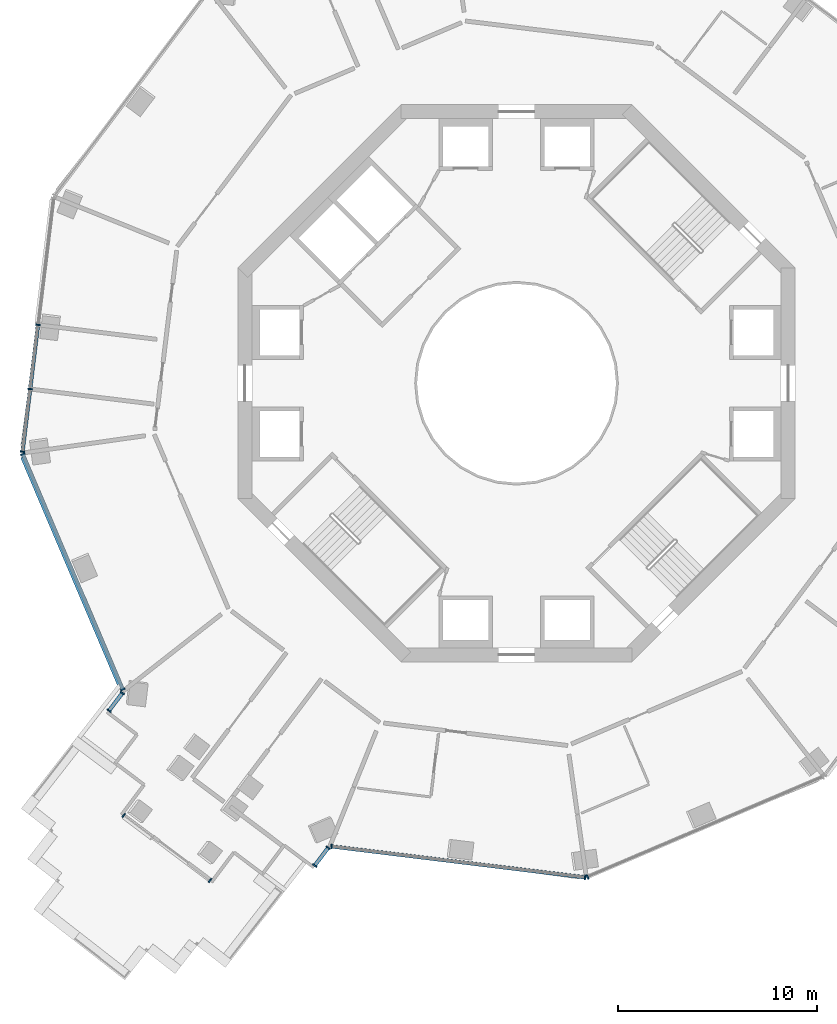
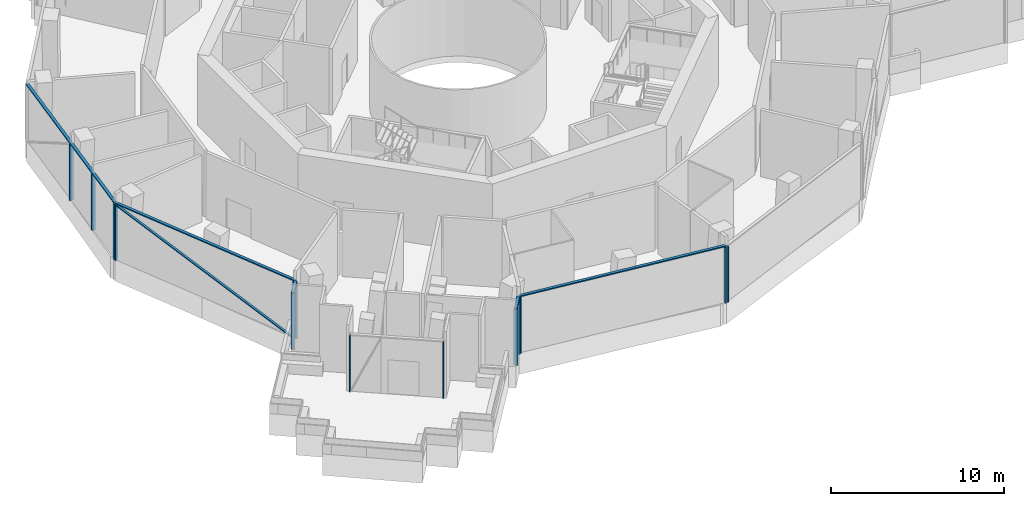
# One storey, part 2 of 17: 20 members, 7 elements without a shape of their own.
"""IFC4 building model written with IfcOpenShell, lengths in metres."""

from ifc_helpers import new_model, si_unit, direction, frame, origin, origin_2d, place, context, subcontext, project, spatial, rectangle, extrude, material, layer, layer_set, material_profile, profile_set, type_object, element, aggregate, save


model = new_model("IFC4")

# Units and contexts
model_context = context("Model", 3, precision=1e-05, world=origin(), true_north=direction((0.0, 1.0)))
body_context = subcontext(model_context, "Body", "Model", "MODEL_VIEW")
ifc_project = project(units=[si_unit("LENGTHUNIT", "METRE"), si_unit("AREAUNIT", "SQUARE_METRE"), si_unit("VOLUMEUNIT", "CUBIC_METRE"), si_unit("PLANEANGLEUNIT", "RADIAN"), si_unit("MASSUNIT", "GRAM", prefix="KILO")], contexts=[model_context])

# Site, building, storey
site_placement = place(None, origin())
site = spatial("IfcSite", under=ifc_project, at=site_placement, CompositionType="ELEMENT")
building_placement = place(site_placement, origin())
building = spatial("IfcBuilding", under=site, at=building_placement, Name="Verdalira Terraces Hotel", CompositionType="ELEMENT")
storey_placement = place(building_placement, frame((0.0, 0.0, 128.0)))
storey = spatial("IfcBuildingStorey", under=building, at=storey_placement, Name="L30", CompositionType="ELEMENT", Elevation=128.0)

# Curtain wall, members
ifc_material_1 = material(Name="Clear glass", Category="glass")
ifc_layer = layer(ifc_material_1, 0.239990234375)
ifc_layer_set = layer_set([ifc_layer], Name="CW5 curtain wall")
curtain_wall_type = type_object("IfcCurtainWallType", Name="CW5 curtain wall", PredefinedType="NOTDEFINED", material=ifc_layer_set)
curtain_wall_1_placement = place(storey_placement, origin())
curtain_wall_1 = element("IfcCurtainWall", 1, at=curtain_wall_1_placement, inside=storey, type_object=curtain_wall_type, Name="CW5 curtain wall L30 edge 12", PredefinedType="NOTDEFINED")
ifc_material_2 = material(Name="Terracotta frame", Category="masonry")
ifc_material_profile_1 = material_profile(ifc_material_2, rectangle(XDim=0.070068, YDim=0.23999, at=origin_2d()), Name="MU 70x240")
ifc_profile_set_1 = profile_set([ifc_material_profile_1], Name="Terracotta frame")
member_type_1 = type_object("IfcMemberType", Name="CW5 mullion 70x240", PredefinedType="MULLION", material=ifc_profile_set_1)
member_1_placement = place(storey_placement, frame((-24.049805, 2.935791, 0.0), z_axis=(0.0, 0.0, 1.0), x_axis=(-0.121176386, -0.992630991, 0.0)))
member_1 = element("IfcMember", 2, at=member_1_placement, type_object=member_type_1, Name="CW5 mullion", PredefinedType="MULLION", context=body_context, shape_type="SweptSolid", body=[
    extrude(rectangle(XDim=0.070068, YDim=0.23999, at=origin_2d()), origin(), (0.0, 0.0, 1.0), 3.965088),
])
member_2_placement = place(storey_placement, frame((-24.443604, -0.290039, 0.0), z_axis=(0.0, 0.0, 1.0), x_axis=(-0.121176386, -0.992630991, 0.0)))
member_2 = element("IfcMember", 3, at=member_2_placement, type_object=member_type_1, Name="CW5 mullion", PredefinedType="MULLION", context=body_context, shape_type="SweptSolid", body=[
    extrude(rectangle(XDim=0.070068, YDim=0.23999, at=origin_2d()), origin(), (0.0, 0.0, 1.0), 3.965088),
])
member_3_placement = place(storey_placement, frame((-24.828369, -3.44165, 0.0), z_axis=(0.0, 0.0, 1.0), x_axis=(-0.121176386, -0.992630991, 0.0)))
member_3 = element("IfcMember", 4, at=member_3_placement, type_object=member_type_1, Name="CW5 mullion", PredefinedType="MULLION", context=body_context, shape_type="SweptSolid", body=[
    extrude(rectangle(XDim=0.070068, YDim=0.23999, at=origin_2d()), origin(), (0.0, 0.0, 1.0), 3.965088),
])

curtain_wall_2_placement = place(storey_placement, origin())
curtain_wall_2 = element("IfcCurtainWall", 5, at=curtain_wall_2_placement, inside=storey, type_object=curtain_wall_type, Name="CW5 curtain wall L30 edge 13", PredefinedType="NOTDEFINED")
member_4_placement = place(storey_placement, frame((-24.810303, -3.570068, 0.0), z_axis=(0.0, 0.0, 1.0), x_axis=(0.391373667, -0.920231847, 0.0)))
member_4 = element("IfcMember", 6, at=member_4_placement, type_object=member_type_1, Name="CW5 mullion", PredefinedType="MULLION", context=body_context, shape_type="SweptSolid", body=[
    extrude(rectangle(XDim=0.070068, YDim=0.23999, at=origin_2d()), origin(), (0.0, 0.0, 1.0), 3.965088),
])
member_5_placement = place(storey_placement, frame((-19.785889, -15.383789, 0.0), z_axis=(0.0, 0.0, 1.0), x_axis=(0.391373667, -0.920231847, 0.0)))
member_5 = element("IfcMember", 7, at=member_5_placement, type_object=member_type_1, Name="CW5 mullion", PredefinedType="MULLION", context=body_context, shape_type="SweptSolid", body=[
    extrude(rectangle(XDim=0.070068, YDim=0.23999, at=origin_2d()), origin(), (0.0, 0.0, 1.0), 3.965088),
])

curtain_wall_3_placement = place(storey_placement, origin())
curtain_wall_3 = element("IfcCurtainWall", 8, at=curtain_wall_3_placement, inside=storey, type_object=curtain_wall_type, Name="CW5 curtain wall L30 edge 14", PredefinedType="NOTDEFINED")
member_6_placement = place(storey_placement, frame((-19.807617, -15.562988, 0.0), z_axis=(0.0, 0.0, 1.0), x_axis=(-0.601257324, -0.799055462, 0.0)))
member_6 = element("IfcMember", 9, at=member_6_placement, type_object=member_type_1, Name="CW5 mullion", PredefinedType="MULLION", context=body_context, shape_type="SweptSolid", body=[
    extrude(rectangle(XDim=0.070068, YDim=0.23999, at=origin_2d()), origin(), (0.0, 0.0, 1.0), 3.965088),
])
member_7_placement = place(storey_placement, frame((-20.480957, -16.457764, 0.0), z_axis=(0.0, 0.0, 1.0), x_axis=(-0.601257324, -0.799055462, 0.0)))
member_7 = element("IfcMember", 10, at=member_7_placement, type_object=member_type_1, Name="CW5 mullion", PredefinedType="MULLION", context=body_context, shape_type="SweptSolid", body=[
    extrude(rectangle(XDim=0.070068, YDim=0.23999, at=origin_2d()), origin(), (0.0, 0.0, 1.0), 3.965088),
])

curtain_wall_4_placement = place(storey_placement, origin())
curtain_wall_4 = element("IfcCurtainWall", 11, at=curtain_wall_4_placement, inside=storey, type_object=curtain_wall_type, Name="CW5 curtain wall L30 edge 19", PredefinedType="NOTDEFINED")
member_8_placement = place(storey_placement, frame((-19.738281, -21.716064, 0.0), z_axis=(0.0, 0.0, 1.0), x_axis=(0.799055462, -0.601257324, 0.0)))
member_8 = element("IfcMember", 12, at=member_8_placement, type_object=member_type_1, Name="CW5 mullion", PredefinedType="MULLION", context=body_context, shape_type="SweptSolid", body=[
    extrude(rectangle(XDim=0.070068, YDim=0.23999, at=origin_2d()), origin(), (0.0, 0.0, 1.0), 3.965088),
])
member_9_placement = place(storey_placement, frame((-15.399414, -24.980713, 0.0), z_axis=(0.0, 0.0, 1.0), x_axis=(0.799055462, -0.601257324, 0.0)))
member_9 = element("IfcMember", 13, at=member_9_placement, type_object=member_type_1, Name="CW5 mullion", PredefinedType="MULLION", context=body_context, shape_type="SweptSolid", body=[
    extrude(rectangle(XDim=0.070068, YDim=0.23999, at=origin_2d()), origin(), (0.0, 0.0, 1.0), 3.965088),
])
aggregate(curtain_wall_4, [member_8, member_9])

curtain_wall_5_placement = place(storey_placement, origin())
curtain_wall_5 = element("IfcCurtainWall", 14, at=curtain_wall_5_placement, inside=storey, type_object=curtain_wall_type, Name="CW5 curtain wall L30 edge 24", PredefinedType="NOTDEFINED")
member_10_placement = place(storey_placement, frame((-10.141113, -24.238037, 0.0), z_axis=(0.0, 0.0, 1.0), x_axis=(0.601257324, 0.799055462, 0.0)))
member_10 = element("IfcMember", 15, at=member_10_placement, type_object=member_type_1, Name="CW5 mullion", PredefinedType="MULLION", context=body_context, shape_type="SweptSolid", body=[
    extrude(rectangle(XDim=0.070068, YDim=0.23999, at=origin_2d()), origin(), (0.0, 0.0, 1.0), 3.965088),
])
member_11_placement = place(storey_placement, frame((-9.468018, -23.343262, 0.0), z_axis=(0.0, 0.0, 1.0), x_axis=(0.601257324, 0.799055462, 0.0)))
member_11 = element("IfcMember", 16, at=member_11_placement, type_object=member_type_1, Name="CW5 mullion", PredefinedType="MULLION", context=body_context, shape_type="SweptSolid", body=[
    extrude(rectangle(XDim=0.070068, YDim=0.23999, at=origin_2d()), origin(), (0.0, 0.0, 1.0), 3.965088),
])

curtain_wall_6_placement = place(storey_placement, origin())
curtain_wall_6 = element("IfcCurtainWall", 17, at=curtain_wall_6_placement, inside=storey, type_object=curtain_wall_type, Name="CW5 curtain wall L30 edge 25", PredefinedType="NOTDEFINED")
member_12_placement = place(storey_placement, frame((-9.301758, -23.272705, 0.0), z_axis=(0.0, 0.0, 1.0), x_axis=(0.992630991, -0.121176386, 0.0)))
member_12 = element("IfcMember", 18, at=member_12_placement, type_object=member_type_1, Name="CW5 mullion", PredefinedType="MULLION", context=body_context, shape_type="SweptSolid", body=[
    extrude(rectangle(XDim=0.070068, YDim=0.23999, at=origin_2d()), origin(), (0.0, 0.0, 1.0), 3.965088),
])
member_13_placement = place(storey_placement, frame((3.44165, -24.828369, 0.0), z_axis=(0.0, 0.0, 1.0), x_axis=(0.992630991, -0.121176386, 0.0)))
member_13 = element("IfcMember", 19, at=member_13_placement, type_object=member_type_1, Name="CW5 mullion", PredefinedType="MULLION", context=body_context, shape_type="SweptSolid", body=[
    extrude(rectangle(XDim=0.070068, YDim=0.23999, at=origin_2d()), origin(), (0.0, 0.0, 1.0), 3.965088),
])

# Curtain wall, member
curtain_wall_7_placement = place(storey_placement, origin())
curtain_wall_7 = element("IfcCurtainWall", 20, at=curtain_wall_7_placement, inside=storey, type_object=curtain_wall_type, Name="CW5 curtain wall L30 edge 26", PredefinedType="NOTDEFINED")
member_14_placement = place(storey_placement, frame((3.570068, -24.810303, 0.0), z_axis=(0.0, 0.0, 1.0), x_axis=(0.920231847, 0.391373667, 0.0)))
member_14 = element("IfcMember", 21, at=member_14_placement, type_object=member_type_1, Name="CW5 mullion", PredefinedType="MULLION", context=body_context, shape_type="SweptSolid", body=[
    extrude(rectangle(XDim=0.070068, YDim=0.23999, at=origin_2d()), origin(), (0.0, 0.0, 1.0), 3.965088),
])
aggregate(curtain_wall_7, [member_14])

# Member
ifc_material_3 = material(Name="Terracotta frame", Category="masonry")
ifc_material_profile_2 = material_profile(ifc_material_3, rectangle(XDim=0.189941, YDim=0.074951, at=origin_2d()), Name="TR 75x190")
ifc_profile_set_2 = profile_set([ifc_material_profile_2], Name="Terracotta frame")
member_type_2 = type_object("IfcMemberType", Name="CW5 transom 75x190", PredefinedType="USERDEFINED", material=ifc_profile_set_2)
member_15_placement = place(storey_placement, frame((-23.26709, 9.348145, 4.002441), z_axis=(-0.121166548, -0.992632191, 0.0), x_axis=(0.992632191, -0.121166548, 0.0)))
member_15 = element("IfcMember", 22, at=member_15_placement, type_object=member_type_2, Name="CW5 transom", ObjectType="TRANSOM", PredefinedType="USERDEFINED", context=body_context, shape_type="SweptSolid", body=[
    extrude(rectangle(XDim=0.189941, YDim=0.074951, at=origin_2d()), origin(), (0.0, 0.0, 1.0), 12.919678),
])

aggregate(curtain_wall_1, [member_1, member_2, member_3, member_15])

member_16_placement = place(storey_placement, frame((-24.823975, -3.537842, 4.002441), z_axis=(0.391388541, -0.920225521, 0.0), x_axis=(0.920225521, 0.391388541, 0.0)))
member_16 = element("IfcMember", 23, at=member_16_placement, type_object=member_type_2, Name="CW5 transom", ObjectType="TRANSOM", PredefinedType="USERDEFINED", context=body_context, shape_type="SweptSolid", body=[
    extrude(rectangle(XDim=0.189941, YDim=0.074951, at=origin_2d()), origin(), (0.0, 0.0, 1.0), 12.907959),
])

member_17_placement = place(storey_placement, frame((-19.786621, -15.535156, 4.002441), z_axis=(-0.601246909, -0.799063298, 0.0), x_axis=(0.799063298, -0.601246909, 0.0)))
member_17 = element("IfcMember", 24, at=member_17_placement, type_object=member_type_2, Name="CW5 transom", ObjectType="TRANSOM", PredefinedType="USERDEFINED", context=body_context, shape_type="SweptSolid", body=[
    extrude(rectangle(XDim=0.189941, YDim=0.074951, at=origin_2d()), origin(), (0.0, 0.0, 1.0), 1.189697),
])

aggregate(curtain_wall_3, [member_6, member_7, member_17])

member_18_placement = place(storey_placement, frame((-10.162109, -24.266113, 4.002441), z_axis=(0.601246909, 0.799063298, 0.0), x_axis=(-0.799063298, 0.601246909, 0.0)))
member_18 = element("IfcMember", 25, at=member_18_placement, type_object=member_type_2, Name="CW5 transom", ObjectType="TRANSOM", PredefinedType="USERDEFINED", context=body_context, shape_type="SweptSolid", body=[
    extrude(rectangle(XDim=0.189941, YDim=0.074951, at=origin_2d()), origin(), (0.0, 0.0, 1.0), 1.189697),
])

aggregate(curtain_wall_5, [member_10, member_11, member_18])

member_19_placement = place(storey_placement, frame((-9.336426, -23.268555, 4.002441), z_axis=(0.992632512, -0.121163924, 0.0), x_axis=(0.121163924, 0.992632512, 0.0)))
member_19 = element("IfcMember", 26, at=member_19_placement, type_object=member_type_2, Name="CW5 transom", ObjectType="TRANSOM", PredefinedType="USERDEFINED", context=body_context, shape_type="SweptSolid", body=[
    extrude(rectangle(XDim=0.189941, YDim=0.074951, at=origin_2d()), origin(), (0.0, 0.0, 1.0), 12.907959),
])

aggregate(curtain_wall_6, [member_12, member_13, member_19])

ifc_material_4 = material(Name="Terracotta frame", Category="masonry")
ifc_material_profile_3 = material_profile(ifc_material_4, rectangle(XDim=0.149902, YDim=0.060059, at=origin_2d()), Name="GB 60x150")
ifc_profile_set_3 = profile_set([ifc_material_profile_3], Name="Terracotta frame")
member_type_3 = type_object("IfcMemberType", Name="Diagonal glazing bar 60x150", PredefinedType="USERDEFINED", material=ifc_profile_set_3)
member_20_placement = place(storey_placement, frame((-24.848877, -3.726807, 3.935791), z_axis=(0.373766527, -0.878831381, -0.296570376), x_axis=(0.920231683, 0.391374053, 0.0)))
member_20 = element("IfcMember", 27, at=member_20_placement, type_object=member_type_3, Name="Diagonal glazing bar", ObjectType="GLAZING BAR", PredefinedType="USERDEFINED", context=body_context, shape_type="SweptSolid", body=[
    extrude(rectangle(XDim=0.149902, YDim=0.060059, at=origin_2d()), origin(), (0.0, 0.0, 1.0), 13.172119),
])

aggregate(curtain_wall_2, [member_4, member_5, member_16, member_20])

save(model, "model.ifc")
